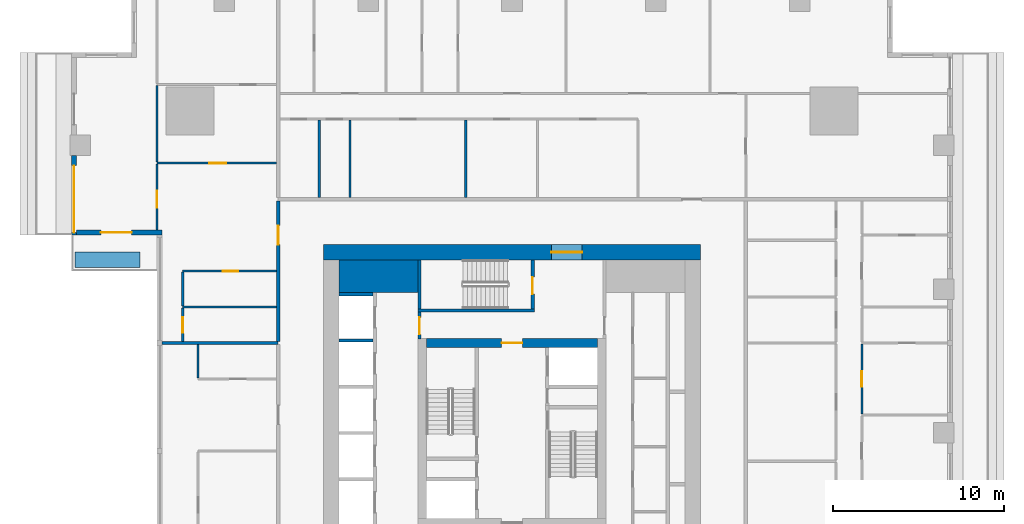
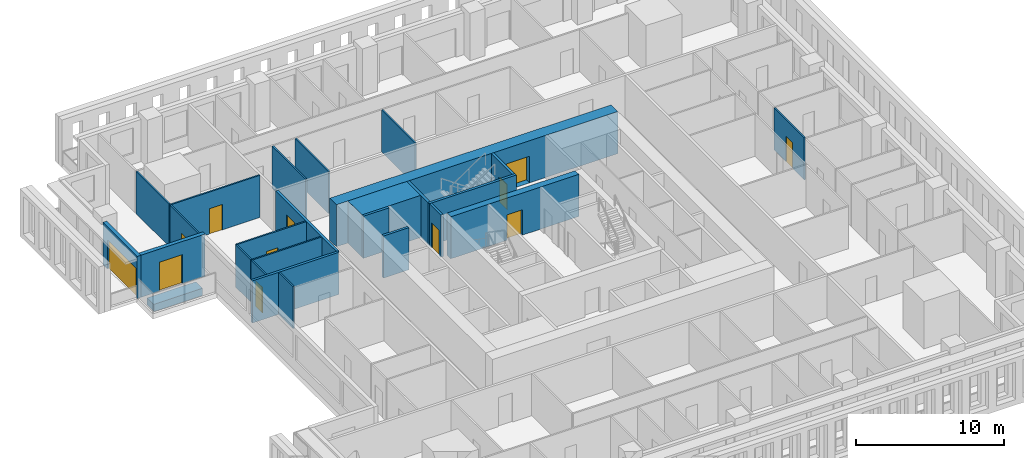
# One storey, part 6 of 14: 26 walls, 12 doors, 12 openings.
"""IFC4 building model written with IfcOpenShell, lengths in metres."""

from ifc_helpers import new_model, si_unit, direction, frame, frame_2d, origin, place, context, subcontext, project, spatial, rectangle, extrude, material, layer, layer_set, type_object, element, fill, save


model = new_model("IFC4")

# Units and contexts
model_context = context("Model", 3, precision=1e-05, world=origin(), true_north=direction((0.0, 1.0)))
body_context = subcontext(model_context, "Body", "Model", "MODEL_VIEW")
ifc_project = project(units=[si_unit("LENGTHUNIT", "METRE"), si_unit("AREAUNIT", "SQUARE_METRE"), si_unit("VOLUMEUNIT", "CUBIC_METRE"), si_unit("PLANEANGLEUNIT", "RADIAN"), si_unit("MASSUNIT", "GRAM", prefix="KILO")], contexts=[model_context])

# Site, building, storey
site_placement = place(None, origin())
site = spatial("IfcSite", under=ifc_project, at=site_placement, CompositionType="ELEMENT")
building_placement = place(site_placement, origin())
building = spatial("IfcBuilding", under=site, at=building_placement, Name="Khepri Terraces", CompositionType="ELEMENT")
storey_placement = place(building_placement, frame((0.0, 0.0, 110.39990234375)))
storey = spatial("IfcBuildingStorey", under=building, at=storey_placement, Name="L26", CompositionType="ELEMENT", Elevation=110.39990234375)

# Walls
ifc_material_1 = material(Name="Concrete C70/85", Category="concrete")
ifc_layer_1 = layer(ifc_material_1, 1.89990234375, Name="Concrete C70/85", Category="concrete")
ifc_layer_set_1 = layer_set([ifc_layer_1], Name="Concrete C70/85")
wall_type_1 = type_object("IfcWallType", Name="Core wall 1900 C70/85", PredefinedType="SHEAR", material=ifc_layer_set_1)
wall_1_placement = place(storey_placement, frame((-10.10009765625, 9.14990234375, 0.0), z_axis=(0.0, 0.0, 1.0), x_axis=(1.0, 0.0, 0.0)))
element("IfcWall", 1, at=wall_1_placement, inside=storey, type_object=wall_type_1, Name="Core wall PR03 L26", PredefinedType="SHEAR", context=body_context, shape_type="SweptSolid", body=[
    extrude(rectangle(XDim=4.60009765625, YDim=1.89990234375, at=frame_2d((2.300048828125, 0.0))), origin(), (0.0, 0.0, 1.0), 3.47998046875),
])
ifc_layer_2 = layer(ifc_material_1, 0.199951171875, Name="Concrete C70/85", Category="concrete")
ifc_layer_set_2 = layer_set([ifc_layer_2], Name="Concrete C70/85")
wall_type_2 = type_object("IfcWallType", Name="Core wall 200 C70/85", PredefinedType="SHEAR", material=ifc_layer_set_2)
wall_2_placement = place(storey_placement, frame((-5.5, 7.14990234375, 0.0), z_axis=(0.0, 0.0, 1.0), x_axis=(1.0, 0.0, 0.0)))
element("IfcWall", 2, at=wall_2_placement, inside=storey, type_object=wall_type_2, Name="Core wall ST05 L26", PredefinedType="SHEAR", context=body_context, shape_type="SweptSolid", body=[
    extrude(rectangle(XDim=6.800048828125, YDim=0.199951171875, at=frame_2d((3.39990234375, 0.0))), origin(), (0.0, 0.0, 1.0), 3.47998046875),
])
wall_3_placement = place(storey_placement, frame((-5.39990234375, 7.25, 0.0), z_axis=(0.0, 0.0, 1.0), x_axis=(0.0, 1.0, 0.0)))
element("IfcWall", 3, at=wall_3_placement, inside=storey, type_object=wall_type_2, Name="Core wall ST06 L26", PredefinedType="SHEAR", context=body_context, shape_type="SweptSolid", body=[
    extrude(rectangle(XDim=2.85009765625, YDim=0.199951171875, at=frame_2d((1.425048828125, 0.0))), origin(), (0.0, 0.0, 1.0), 3.47998046875),
])

# Wall, opening, door
wall_4_placement = place(storey_placement, frame((1.199951171875, 7.25, 0.0), z_axis=(0.0, 0.0, 1.0), x_axis=(0.0, 1.0, 0.0)))
wall_4 = element("IfcWall", 4, at=wall_4_placement, inside=storey, type_object=wall_type_2, Name="Core wall ST07 L26", PredefinedType="SHEAR", context=body_context, shape_type="SweptSolid", body=[
    extrude(rectangle(XDim=2.85009765625, YDim=0.199951171875, at=frame_2d((1.425048828125, 0.0))), origin(), (0.0, 0.0, 1.0), 3.47998046875),
])
opening_1_placement = place(wall_4_placement, frame((0.85009765625, 0.0, 0.0)))
opening_1 = element("IfcOpeningElement", 5, at=opening_1_placement, cuts=wall_4, Name="Opening L26-C15", PredefinedType="OPENING", context=body_context, shape_type="SweptSolid", body=[
    extrude(rectangle(XDim=1.0, YDim=2.10009765625, at=frame_2d((0.5, 1.050048828125))), frame((0.0, 0.10986328125, 0.0), z_axis=(0.0, -1.0, 0.0), x_axis=(1.0, 0.0, 0.0)), (0.0, 0.0, 1.0), 0.219970703125),
])
ifc_material_2 = material(Name="Painted steel", Category="steel")
door_type_1 = type_object("IfcDoorType", Name="DR-CORE-STAIR-1000", OperationType="NOTDEFINED", PredefinedType="DOOR", material=ifc_material_2)
door_1_placement = place(opening_1_placement, origin())
door_1 = element("IfcDoor", 6, at=door_1_placement, inside=storey, type_object=door_type_1, Name="Stair door L26-C15", OperationType="SINGLE_SWING_LEFT", OverallHeight=2.10009765625, OverallWidth=1.0, PredefinedType="DOOR", context=body_context, shape_type="SweptSolid", body=[
    extrude(rectangle(XDim=1.0, YDim=2.10009765625, at=frame_2d((0.5, 1.050048828125))), frame((0.0, 0.02490234375, 0.0), z_axis=(0.0, -1.0, 0.0), x_axis=(1.0, 0.0, 0.0)), (0.0, 0.0, 1.0), 0.050048828125),
])
fill(opening_1, door_1)

# Walls
for number, where, z_axis, x_axis, name in (
    (7, (-10.10009765625, 5.39990234375, 0.0), (0.0, 0.0, 1.0), (1.0, 0.0, 0.0), "Core wall SH19 L26"),
    (8, (-10.10009765625, 8.10009765625, 0.0), (0.0, 0.0, 1.0), (1.0, 0.0, 0.0), "Core wall SH20 L26"),
):
    element("IfcWall", number, at=place(storey_placement, frame(where, z_axis=z_axis, x_axis=x_axis)), inside=storey, type_object=wall_type_2, Name=name, PredefinedType="SHEAR", context=body_context, shape_type="SweptSolid", body=[
        extrude(rectangle(XDim=2.0, YDim=0.199951171875, at=frame_2d((1.0, 0.0))), origin(), (0.0, 0.0, 1.0), 3.47998046875),
    ])

# Wall, opening, door
ifc_layer_3 = layer(ifc_material_1, 0.5, Name="Concrete C70/85", Category="concrete")
ifc_layer_set_3 = layer_set([ifc_layer_3], Name="Concrete C70/85")
wall_type_3 = type_object("IfcWallType", Name="Core wall 500 C70/85", PredefinedType="SHEAR", material=ifc_layer_set_3)
wall_5_placement = place(storey_placement, frame((-5.0, 5.25, 0.0), z_axis=(0.0, 0.0, 1.0), x_axis=(1.0, 0.0, 0.0)))
wall_5 = element("IfcWall", 9, at=wall_5_placement, inside=storey, type_object=wall_type_3, Name="Core wall BX04 L26", PredefinedType="SHEAR", context=body_context, shape_type="SweptSolid", body=[
    extrude(rectangle(XDim=10.0, YDim=0.5, at=frame_2d((5.0, 0.0))), origin(), (0.0, 0.0, 1.0), 3.47998046875),
])
opening_2_placement = place(wall_5_placement, frame((4.39990234375, 0.0, 0.0)))
opening_2 = element("IfcOpeningElement", 10, at=opening_2_placement, cuts=wall_5, Name="Opening L26-C13", PredefinedType="OPENING", context=body_context, shape_type="SweptSolid", body=[
    extrude(rectangle(XDim=1.199951171875, YDim=2.10009765625, at=frame_2d((0.60009765625, 1.050048828125))), frame((0.0, 0.260009765625, 0.0), z_axis=(0.0, -1.0, 0.0), x_axis=(1.0, 0.0, 0.0)), (0.0, 0.0, 1.0), 0.52001953125),
])
door_type_2 = type_object("IfcDoorType", Name="DR-CORE-FF-LOBBY-1200", OperationType="NOTDEFINED", PredefinedType="DOOR", material=ifc_material_2)
door_2_placement = place(opening_2_placement, frame((1.199951171875, 0.0, 0.0), z_axis=(0.0, 0.0, 1.0), x_axis=(-1.0, 0.0, 0.0)))
door_2 = element("IfcDoor", 11, at=door_2_placement, inside=storey, type_object=door_type_2, Name="Firefighting lobby door L26-C13", OperationType="SINGLE_SWING_LEFT", OverallHeight=2.10009765625, OverallWidth=1.199951171875, PredefinedType="DOOR", context=body_context, shape_type="SweptSolid", body=[
    extrude(rectangle(XDim=1.199951171875, YDim=2.10009765625, at=frame_2d((0.60009765625, 1.050048828125))), frame((0.0, 0.02490234375, 0.0), z_axis=(0.0, -1.0, 0.0), x_axis=(1.0, 0.0, 0.0)), (0.0, 0.0, 1.0), 0.050048828125),
])
fill(opening_2, door_2)

ifc_layer_4 = layer(ifc_material_1, 0.89990234375, Name="Concrete C70/85", Category="concrete")
ifc_layer_set_4 = layer_set([ifc_layer_4], Name="Concrete C70/85")
wall_type_4 = type_object("IfcWallType", Name="Core wall 900 C70/85", PredefinedType="SHEAR", material=ifc_layer_set_4)
wall_6_placement = place(storey_placement, frame((-11.0, 10.550048828125, 0.0), z_axis=(0.0, 0.0, 1.0), x_axis=(1.0, 0.0, 0.0)))
wall_6 = element("IfcWall", 12, at=wall_6_placement, inside=storey, type_object=wall_type_4, Name="Core wall OW-N L26", PredefinedType="SHEAR", context=body_context, shape_type="SweptSolid", body=[
    extrude(rectangle(XDim=22.0, YDim=0.89990234375, at=frame_2d((11.0, 0.0))), origin(), (0.0, 0.0, 1.0), 3.47998046875),
])
opening_3_placement = place(wall_6_placement, frame((13.300048828125, 0.0, 0.0)))
opening_3 = element("IfcOpeningElement", 13, at=opening_3_placement, cuts=wall_6, Name="Opening L26-C20", PredefinedType="OPENING", context=body_context, shape_type="SweptSolid", body=[
    extrude(rectangle(XDim=1.800048828125, YDim=2.199951171875, at=frame_2d((0.89990234375, 1.10009765625))), frame((0.0, 0.4599609375, 0.0), z_axis=(0.0, -1.0, 0.0), x_axis=(1.0, 0.0, 0.0)), (0.0, 0.0, 1.0), 0.919921875),
])
door_type_3 = type_object("IfcDoorType", Name="DR-CORE-ENTRANCE-1800", OperationType="NOTDEFINED", PredefinedType="DOOR", material=ifc_material_2)
door_3_placement = place(opening_3_placement, origin())
door_3 = element("IfcDoor", 14, at=door_3_placement, inside=storey, type_object=door_type_3, Name="Core entrance door pair L26-C20", OperationType="DOUBLE_DOOR_SINGLE_SWING", OverallHeight=2.199951171875, OverallWidth=1.800048828125, PredefinedType="DOOR", context=body_context, shape_type="SweptSolid", body=[
    extrude(rectangle(XDim=1.800048828125, YDim=2.199951171875, at=frame_2d((0.89990234375, 1.10009765625))), frame((0.0, 0.02490234375, 0.0), z_axis=(0.0, -1.0, 0.0), x_axis=(1.0, 0.0, 0.0)), (0.0, 0.0, 1.0), 0.050048828125),
])
fill(opening_3, door_3)

ifc_material_3 = material(Name="Fire-rated gypsum board partition")
ifc_layer_5 = layer(ifc_material_3, 0.199951171875, Name="Fire-rated gypsum board partition")
ifc_layer_set_5 = layer_set([ifc_layer_5], Name="Fire-rated gypsum board partition")
wall_type_5 = type_object("IfcWallType", Name="WL-CORE-PART-200", PredefinedType="PARTITIONING", material=ifc_layer_set_5)
wall_7_placement = place(storey_placement, frame((-5.39990234375, 5.5, 0.0), z_axis=(0.0, 0.0, 1.0), x_axis=(0.0, 1.0, 0.0)))
wall_7 = element("IfcWall", 15, at=wall_7_placement, inside=storey, type_object=wall_type_5, Name="Core partition PT07 L26", PredefinedType="PARTITIONING", context=body_context, shape_type="SweptSolid", body=[
    extrude(rectangle(XDim=1.550048828125, YDim=0.199951171875, at=frame_2d((0.77490234375, 0.0))), origin(), (0.0, 0.0, 1.0), 3.47998046875),
])
opening_4_placement = place(wall_7_placement, frame((0.25, 0.0, 0.0)))
opening_4 = element("IfcOpeningElement", 16, at=opening_4_placement, cuts=wall_7, Name="Opening L26-C16", PredefinedType="OPENING", context=body_context, shape_type="SweptSolid", body=[
    extrude(rectangle(XDim=1.0, YDim=2.10009765625, at=frame_2d((0.5, 1.050048828125))), frame((0.0, 0.10986328125, 0.0), z_axis=(0.0, -1.0, 0.0), x_axis=(1.0, 0.0, 0.0)), (0.0, 0.0, 1.0), 0.219970703125),
])
door_type_4 = type_object("IfcDoorType", Name="DR-CORE-LOBBY-1000", OperationType="NOTDEFINED", PredefinedType="DOOR", material=ifc_material_2)
door_4_placement = place(opening_4_placement, frame((1.0, 0.0, 0.0), z_axis=(0.0, 0.0, 1.0), x_axis=(-1.0, 0.0, 0.0)))
door_4 = element("IfcDoor", 17, at=door_4_placement, inside=storey, type_object=door_type_4, Name="Lobby door L26-C16", OperationType="SINGLE_SWING_RIGHT", OverallHeight=2.10009765625, OverallWidth=1.0, PredefinedType="DOOR", context=body_context, shape_type="SweptSolid", body=[
    extrude(rectangle(XDim=1.0, YDim=2.10009765625, at=frame_2d((0.5, 1.050048828125))), frame((0.0, 0.02490234375, 0.0), z_axis=(0.0, -1.0, 0.0), x_axis=(1.0, 0.0, 0.0)), (0.0, 0.0, 1.0), 0.050048828125),
])
fill(opening_4, door_4)

# Wall
ifc_material_4 = material(Name="Fire-rated gypsum plasterboard partition, mineral wool")
ifc_layer_6 = layer(ifc_material_4, 0.199951171875, Name="Fire-rated gypsum plasterboard partition, mineral wool")
ifc_layer_set_6 = layer_set([ifc_layer_6], Name="Fire-rated gypsum plasterboard partition, mineral wool")
wall_type_6 = type_object("IfcWallType", Name="WL-CORR-200", PredefinedType="PARTITIONING", material=ifc_layer_set_6)
wall_8_placement = place(storey_placement, frame((-20.419921875, 5.25, 0.0), z_axis=(0.0, 0.0, 1.0), x_axis=(1.0, 0.0, 0.0)))
element("IfcWall", 18, at=wall_8_placement, inside=storey, type_object=wall_type_6, Name="Partition P-046 L26", PredefinedType="PARTITIONING", context=body_context, shape_type="SweptSolid", body=[
    extrude(rectangle(XDim=6.77001953125, YDim=0.199951171875, at=frame_2d((3.385009765625, 0.0))), origin(), (0.0, 0.0, 1.0), 3.47998046875),
])

# Wall, opening, door
wall_9_placement = place(storey_placement, frame((-13.64990234375, 5.35009765625, 0.0), z_axis=(0.0, 0.0, 1.0), x_axis=(0.0, 1.0, 0.0)))
wall_9 = element("IfcWall", 19, at=wall_9_placement, inside=storey, type_object=wall_type_6, Name="Partition P-052 L26", PredefinedType="PARTITIONING", context=body_context, shape_type="SweptSolid", body=[
    extrude(rectangle(XDim=8.199951171875, YDim=0.199951171875, at=frame_2d((4.10009765625, 0.0))), origin(), (0.0, 0.0, 1.0), 3.47998046875),
])
opening_5_placement = place(wall_9_placement, frame((5.64990234375, 0.0, 0.0)))
opening_5 = element("IfcOpeningElement", 20, at=opening_5_placement, cuts=wall_9, Name="Opening D1", PredefinedType="OPENING", context=body_context, shape_type="SweptSolid", body=[
    extrude(rectangle(XDim=1.10009765625, YDim=2.39990234375, at=frame_2d((0.550048828125, 1.199951171875))), frame((0.0, 0.10986328125, 0.0), z_axis=(0.0, -1.0, 0.0), x_axis=(1.0, 0.0, 0.0)), (0.0, 0.0, 1.0), 0.219970703125),
])
ifc_material_5 = material(Name="Solid-core timber door leaf, flat entrance door", Category="wood")
door_type_5 = type_object("IfcDoorType", Name="DR-ENT-1100", OperationType="NOTDEFINED", PredefinedType="DOOR", material=ifc_material_5)
door_5_placement = place(opening_5_placement, origin())
door_5 = element("IfcDoor", 21, at=door_5_placement, inside=storey, type_object=door_type_5, Name="Flat D1 entrance door", OperationType="SINGLE_SWING_RIGHT", OverallHeight=2.39990234375, OverallWidth=1.10009765625, PredefinedType="DOOR", context=body_context, shape_type="SweptSolid", body=[
    extrude(rectangle(XDim=1.10009765625, YDim=2.39990234375, at=frame_2d((0.550048828125, 1.199951171875))), frame((0.0, 0.02490234375, 0.0), z_axis=(0.0, -1.0, 0.0), x_axis=(1.0, 0.0, 0.0)), (0.0, 0.0, 1.0), 0.050048828125),
])
fill(opening_5, door_5)

ifc_material_6 = material(Name="Precast concrete C50/60 warm stone", Category="masonry")
ifc_layer_7 = layer(ifc_material_6, 0.300048828125, Name="Precast concrete C50/60 warm stone", Category="masonry")
ifc_layer_set_7 = layer_set([ifc_layer_7], Name="Precast concrete C50/60 warm stone")
wall_type_7 = type_object("IfcWallType", Name="WL-EXT-PRECAST-300", PredefinedType="STANDARD", material=ifc_layer_set_7)
wall_10_placement = place(storey_placement, frame((-25.570068359375, 16.199951171875, 0.0), z_axis=(0.0, 0.0, 1.0), x_axis=(0.0, -1.0, 0.0)))
wall_10 = element("IfcWall", 22, at=wall_10_placement, inside=storey, type_object=wall_type_7, Name="External wall L26 W", PredefinedType="STANDARD", context=body_context, shape_type="SweptSolid", body=[
    extrude(rectangle(XDim=4.64990234375, YDim=0.300048828125, at=frame_2d((2.324951171875, 0.0))), origin(), (0.0, 0.0, 1.0), 3.47998046875),
])
opening_6_placement = place(wall_10_placement, frame((0.60009765625, 0.0, 0.0)))
opening_6 = element("IfcOpeningElement", 23, at=opening_6_placement, cuts=wall_10, Name="Opening ED-L26-12", PredefinedType="OPENING", context=body_context, shape_type="SweptSolid", body=[
    extrude(rectangle(XDim=3.89990234375, YDim=2.39990234375, at=frame_2d((1.949951171875, 1.199951171875))), frame((0.0, 0.16015625, 0.0), z_axis=(0.0, -1.0, 0.0), x_axis=(1.0, 0.0, 0.0)), (0.0, 0.0, 1.0), 0.320068359375),
])
ifc_material_7 = material(Name="Anodised aluminium bronze glazed door", Category="aluminium")
door_type_6 = type_object("IfcDoorType", Name="DR-BAL-SLIDE-3900x2400", OperationType="NOTDEFINED", PredefinedType="DOOR", material=ifc_material_7)
door_6_placement = place(opening_6_placement, origin())
door_6 = element("IfcDoor", 24, at=door_6_placement, inside=storey, type_object=door_type_6, Name="Balcony door L26 W", OperationType="SLIDING_TO_LEFT", OverallHeight=2.39990234375, OverallWidth=3.89990234375, PredefinedType="DOOR", context=body_context, shape_type="SweptSolid", body=[
    extrude(rectangle(XDim=3.89990234375, YDim=2.39990234375, at=frame_2d((1.949951171875, 1.199951171875))), frame((0.0, 0.02490234375, 0.0), z_axis=(0.0, -1.0, 0.0), x_axis=(1.0, 0.0, 0.0)), (0.0, 0.0, 1.0), 0.050048828125),
])
fill(opening_6, door_6)

wall_11_placement = place(storey_placement, frame((-25.419921875, 11.699951171875, 0.0), z_axis=(0.0, 0.0, 1.0), x_axis=(1.0, 0.0, 0.0)))
wall_11 = element("IfcWall", 25, at=wall_11_placement, inside=storey, type_object=wall_type_7, Name="External wall L26 S", PredefinedType="STANDARD", context=body_context, shape_type="SweptSolid", body=[
    extrude(rectangle(XDim=5.0, YDim=0.300048828125, at=frame_2d((2.5, 0.0))), origin(), (0.0, 0.0, 1.0), 3.47998046875),
])
opening_7_placement = place(wall_11_placement, frame((1.419921875, 0.0, 0.0)))
opening_7 = element("IfcOpeningElement", 26, at=opening_7_placement, cuts=wall_11, Name="Opening ED-L26-13", PredefinedType="OPENING", context=body_context, shape_type="SweptSolid", body=[
    extrude(rectangle(XDim=1.800048828125, YDim=2.39990234375, at=frame_2d((0.89990234375, 1.199951171875))), frame((0.0, 0.16015625, 0.0), z_axis=(0.0, -1.0, 0.0), x_axis=(1.0, 0.0, 0.0)), (0.0, 0.0, 1.0), 0.320068359375),
])
door_type_7 = type_object("IfcDoorType", Name="DR-BAL-SLIDE-1800x2400", OperationType="NOTDEFINED", PredefinedType="DOOR", material=ifc_material_7)
door_7_placement = place(opening_7_placement, origin())
door_7 = element("IfcDoor", 27, at=door_7_placement, inside=storey, type_object=door_type_7, Name="Balcony door L26 S", OperationType="SLIDING_TO_LEFT", OverallHeight=2.39990234375, OverallWidth=1.800048828125, PredefinedType="DOOR", context=body_context, shape_type="SweptSolid", body=[
    extrude(rectangle(XDim=1.800048828125, YDim=2.39990234375, at=frame_2d((0.89990234375, 1.199951171875))), frame((0.0, 0.02490234375, 0.0), z_axis=(0.0, -1.0, 0.0), x_axis=(1.0, 0.0, 0.0)), (0.0, 0.0, 1.0), 0.050048828125),
])
fill(opening_7, door_7)

ifc_material_8 = material(Name="Gypsum plasterboard partition")
ifc_layer_8 = layer(ifc_material_8, 0.1201171875, Name="Gypsum plasterboard partition")
ifc_layer_set_8 = layer_set([ifc_layer_8], Name="Gypsum plasterboard partition")
wall_type_8 = type_object("IfcWallType", Name="WL-PART-120", PredefinedType="PARTITIONING", material=ifc_layer_set_8)
wall_12_placement = place(storey_placement, frame((20.419921875, 1.110107421875, 0.0), z_axis=(0.0, 0.0, 1.0), x_axis=(0.0, 1.0, 0.0)))
wall_12 = element("IfcWall", 28, at=wall_12_placement, inside=storey, type_object=wall_type_8, Name="Partition P-043 L26", PredefinedType="PARTITIONING", context=body_context, shape_type="SweptSolid", body=[
    extrude(rectangle(XDim=4.079833984375, YDim=0.1201171875, at=frame_2d((2.0400390625, 0.0))), origin(), (0.0, 0.0, 1.0), 3.47998046875),
])
opening_8_placement = place(wall_12_placement, frame((1.590087890625, 0.0, 0.0)))
opening_8 = element("IfcOpeningElement", 29, at=opening_8_placement, cuts=wall_12, Name="Opening D3", PredefinedType="OPENING", context=body_context, shape_type="SweptSolid", body=[
    extrude(rectangle(XDim=0.89990234375, YDim=2.10009765625, at=frame_2d((0.449951171875, 1.050048828125))), frame((0.0, 0.070068359375, 0.0), z_axis=(0.0, -1.0, 0.0), x_axis=(1.0, 0.0, 0.0)), (0.0, 0.0, 1.0), 0.14013671875),
])
ifc_material_9 = material(Name="Timber door leaf", Category="wood")
door_type_8 = type_object("IfcDoorType", Name="DR-INT-900", OperationType="NOTDEFINED", PredefinedType="DOOR", material=ifc_material_9)
door_8_placement = place(opening_8_placement, frame((0.89990234375, 0.0, 0.0), z_axis=(0.0, 0.0, 1.0), x_axis=(-1.0, 0.0, 0.0)))
door_8 = element("IfcDoor", 30, at=door_8_placement, inside=storey, type_object=door_type_8, Name="Door Bedroom", OperationType="SINGLE_SWING_LEFT", OverallHeight=2.10009765625, OverallWidth=0.89990234375, PredefinedType="DOOR", context=body_context, shape_type="SweptSolid", body=[
    extrude(rectangle(XDim=0.89990234375, YDim=2.10009765625, at=frame_2d((0.449951171875, 1.050048828125))), frame((0.0, 0.02490234375, 0.0), z_axis=(0.0, -1.0, 0.0), x_axis=(1.0, 0.0, 0.0)), (0.0, 0.0, 1.0), 0.050048828125),
])
fill(opening_8, door_8)

# Wall
wall_13_placement = place(storey_placement, frame((-18.320068359375, 3.2099609375, 0.0), z_axis=(0.0, 0.0, 1.0), x_axis=(0.0, 1.0, 0.0)))
element("IfcWall", 31, at=wall_13_placement, inside=storey, type_object=wall_type_8, Name="Partition P-045 L26", PredefinedType="PARTITIONING", context=body_context, shape_type="SweptSolid", body=[
    extrude(rectangle(XDim=1.93994140625, YDim=0.1201171875, at=frame_2d((0.969970703125, 0.0))), origin(), (0.0, 0.0, 1.0), 3.47998046875),
])

# Wall, opening, door
wall_14_placement = place(storey_placement, frame((-19.219970703125, 5.35009765625, 0.0), z_axis=(0.0, 0.0, 1.0), x_axis=(0.0, 1.0, 0.0)))
wall_14 = element("IfcWall", 32, at=wall_14_placement, inside=storey, type_object=wall_type_8, Name="Partition P-051 L26", PredefinedType="PARTITIONING", context=body_context, shape_type="SweptSolid", body=[
    extrude(rectangle(XDim=1.93994140625, YDim=0.1201171875, at=frame_2d((0.969970703125, 0.0))), origin(), (0.0, 0.0, 1.0), 3.47998046875),
])
opening_9_placement = place(wall_14_placement, frame((0.5, 0.0, 0.0)))
opening_9 = element("IfcOpeningElement", 33, at=opening_9_placement, cuts=wall_14, Name="Opening D3", PredefinedType="OPENING", context=body_context, shape_type="SweptSolid", body=[
    extrude(rectangle(XDim=0.89990234375, YDim=2.10009765625, at=frame_2d((0.449951171875, 1.050048828125))), frame((0.0, 0.070068359375, 0.0), z_axis=(0.0, -1.0, 0.0), x_axis=(1.0, 0.0, 0.0)), (0.0, 0.0, 1.0), 0.14013671875),
])
door_9_placement = place(opening_9_placement, frame((0.89990234375, 0.0, 0.0), z_axis=(0.0, 0.0, 1.0), x_axis=(-1.0, 0.0, 0.0)))
door_9 = element("IfcDoor", 34, at=door_9_placement, inside=storey, type_object=door_type_8, Name="Door Kitchen", OperationType="SINGLE_SWING_RIGHT", OverallHeight=2.10009765625, OverallWidth=0.89990234375, PredefinedType="DOOR", context=body_context, shape_type="SweptSolid", body=[
    extrude(rectangle(XDim=0.89990234375, YDim=2.10009765625, at=frame_2d((0.449951171875, 1.050048828125))), frame((0.0, 0.02490234375, 0.0), z_axis=(0.0, -1.0, 0.0), x_axis=(1.0, 0.0, 0.0)), (0.0, 0.0, 1.0), 0.050048828125),
])
fill(opening_9, door_9)

# Walls
wall_15_placement = place(storey_placement, frame((-19.219970703125, 7.35009765625, 0.0), z_axis=(0.0, 0.0, 1.0), x_axis=(1.0, 0.0, 0.0)))
element("IfcWall", 35, at=wall_15_placement, inside=storey, type_object=wall_type_8, Name="Partition P-053 L26", PredefinedType="PARTITIONING", context=body_context, shape_type="SweptSolid", body=[
    extrude(rectangle(XDim=5.469970703125, YDim=0.1201171875, at=frame_2d((2.73486328125, 0.0))), origin(), (0.0, 0.0, 1.0), 3.47998046875),
])
wall_16_placement = place(storey_placement, frame((-19.219970703125, 7.409912109375, 0.0), z_axis=(0.0, 0.0, 1.0), x_axis=(0.0, 1.0, 0.0)))
element("IfcWall", 36, at=wall_16_placement, inside=storey, type_object=wall_type_8, Name="Partition P-055 L26", PredefinedType="PARTITIONING", context=body_context, shape_type="SweptSolid", body=[
    extrude(rectangle(XDim=1.97998046875, YDim=0.1201171875, at=frame_2d((0.989990234375, 0.0))), origin(), (0.0, 0.0, 1.0), 3.47998046875),
])

# Wall, opening, door
wall_17_placement = place(storey_placement, frame((-19.219970703125, 9.449951171875, 0.0), z_axis=(0.0, 0.0, 1.0), x_axis=(1.0, 0.0, 0.0)))
wall_17 = element("IfcWall", 37, at=wall_17_placement, inside=storey, type_object=wall_type_8, Name="Partition P-059 L26", PredefinedType="PARTITIONING", context=body_context, shape_type="SweptSolid", body=[
    extrude(rectangle(XDim=5.469970703125, YDim=0.1201171875, at=frame_2d((2.73486328125, 0.0))), origin(), (0.0, 0.0, 1.0), 3.47998046875),
])
opening_10_placement = place(wall_17_placement, frame((2.3349609375, 0.0, 0.0)))
opening_10 = element("IfcOpeningElement", 38, at=opening_10_placement, cuts=wall_17, Name="Opening D4", PredefinedType="OPENING", context=body_context, shape_type="SweptSolid", body=[
    extrude(rectangle(XDim=0.89990234375, YDim=2.10009765625, at=frame_2d((0.449951171875, 1.050048828125))), frame((0.0, 0.070068359375, 0.0), z_axis=(0.0, -1.0, 0.0), x_axis=(1.0, 0.0, 0.0)), (0.0, 0.0, 1.0), 0.14013671875),
])
ifc_material_10 = material(Name="Timber door leaf, moisture resistant", Category="wood")
door_type_9 = type_object("IfcDoorType", Name="DR-WET-900", OperationType="NOTDEFINED", PredefinedType="DOOR", material=ifc_material_10)
door_10_placement = place(opening_10_placement, frame((0.89990234375, 0.0, 0.0), z_axis=(0.0, 0.0, 1.0), x_axis=(-1.0, 0.0, 0.0)))
door_10 = element("IfcDoor", 39, at=door_10_placement, inside=storey, type_object=door_type_9, Name="Door Guest Bathroom", OperationType="SINGLE_SWING_LEFT", OverallHeight=2.10009765625, OverallWidth=0.89990234375, PredefinedType="DOOR", context=body_context, shape_type="SweptSolid", body=[
    extrude(rectangle(XDim=0.89990234375, YDim=2.10009765625, at=frame_2d((0.449951171875, 1.050048828125))), frame((0.0, 0.02490234375, 0.0), z_axis=(0.0, -1.0, 0.0), x_axis=(1.0, 0.0, 0.0)), (0.0, 0.0, 1.0), 0.050048828125),
])
fill(opening_10, door_10)

wall_18_placement = place(storey_placement, frame((-20.719970703125, 11.85009765625, 0.0), z_axis=(0.0, 0.0, 1.0), x_axis=(0.0, 1.0, 0.0)))
wall_18 = element("IfcWall", 40, at=wall_18_placement, inside=storey, type_object=wall_type_8, Name="Partition P-062 L26", PredefinedType="PARTITIONING", context=body_context, shape_type="SweptSolid", body=[
    extrude(rectangle(XDim=3.83984375, YDim=0.1201171875, at=frame_2d((1.919921875, 0.0))), origin(), (0.0, 0.0, 1.0), 3.47998046875),
])
opening_11_placement = place(wall_18_placement, frame((1.300048828125, 0.0, 0.0)))
opening_11 = element("IfcOpeningElement", 41, at=opening_11_placement, cuts=wall_18, Name="Opening D2", PredefinedType="OPENING", context=body_context, shape_type="SweptSolid", body=[
    extrude(rectangle(XDim=1.0, YDim=2.10009765625, at=frame_2d((0.5, 1.050048828125))), frame((0.0, 0.070068359375, 0.0), z_axis=(0.0, -1.0, 0.0), x_axis=(1.0, 0.0, 0.0)), (0.0, 0.0, 1.0), 0.14013671875),
])
ifc_material_11 = material(Name="Timber door leaf, living room door", Category="wood")
door_type_10 = type_object("IfcDoorType", Name="DR-INT-1000", OperationType="NOTDEFINED", PredefinedType="DOOR", material=ifc_material_11)
door_11_placement = place(opening_11_placement, origin())
door_11 = element("IfcDoor", 42, at=door_11_placement, inside=storey, type_object=door_type_10, Name="Door Living Room", OperationType="SINGLE_SWING_LEFT", OverallHeight=2.10009765625, OverallWidth=1.0, PredefinedType="DOOR", context=body_context, shape_type="SweptSolid", body=[
    extrude(rectangle(XDim=1.0, YDim=2.10009765625, at=frame_2d((0.5, 1.050048828125))), frame((0.0, 0.02490234375, 0.0), z_axis=(0.0, -1.0, 0.0), x_axis=(1.0, 0.0, 0.0)), (0.0, 0.0, 1.0), 0.050048828125),
])
fill(opening_11, door_11)

# Walls
for number, where, z_axis, x_axis, name in (
    (43, (-11.25, 13.75, 0.0), (0.0, 0.0, 1.0), (0.0, 1.0, 0.0), "Partition P-067 L26"),
    (44, (-9.449951171875, 13.75, 0.0), (0.0, 0.0, 1.0), (0.0, 1.0, 0.0), "Partition P-068 L26"),
    (45, (-2.699951171875, 13.75, 0.0), (0.0, 0.0, 1.0), (0.0, 1.0, 0.0), "Partition P-069 L26"),
):
    element("IfcWall", number, at=place(storey_placement, frame(where, z_axis=z_axis, x_axis=x_axis)), inside=storey, type_object=wall_type_8, Name=name, PredefinedType="PARTITIONING", context=body_context, shape_type="SweptSolid", body=[
        extrude(rectangle(XDim=4.510009765625, YDim=0.1201171875, at=frame_2d((2.2548828125, 0.0))), origin(), (0.0, 0.0, 1.0), 3.47998046875),
    ])

# Wall, opening, door
wall_19_placement = place(storey_placement, frame((-20.719970703125, 15.75, 0.0), z_axis=(0.0, 0.0, 1.0), x_axis=(1.0, 0.0, 0.0)))
wall_19 = element("IfcWall", 46, at=wall_19_placement, inside=storey, type_object=wall_type_8, Name="Partition P-073 L26", PredefinedType="PARTITIONING", context=body_context, shape_type="SweptSolid", body=[
    extrude(rectangle(XDim=6.969970703125, YDim=0.1201171875, at=frame_2d((3.48486328125, 0.0))), origin(), (0.0, 0.0, 1.0), 3.47998046875),
])
opening_12_placement = place(wall_19_placement, frame((3.034912109375, 0.0, 0.0)))
opening_12 = element("IfcOpeningElement", 47, at=opening_12_placement, cuts=wall_19, Name="Opening D2", PredefinedType="OPENING", context=body_context, shape_type="SweptSolid", body=[
    extrude(rectangle(XDim=1.0, YDim=2.10009765625, at=frame_2d((0.5, 1.050048828125))), frame((0.0, 0.070068359375, 0.0), z_axis=(0.0, -1.0, 0.0), x_axis=(1.0, 0.0, 0.0)), (0.0, 0.0, 1.0), 0.14013671875),
])
door_12_placement = place(opening_12_placement, origin())
door_12 = element("IfcDoor", 48, at=door_12_placement, inside=storey, type_object=door_type_10, Name="Door Family Room", OperationType="SINGLE_SWING_RIGHT", OverallHeight=2.10009765625, OverallWidth=1.0, PredefinedType="DOOR", context=body_context, shape_type="SweptSolid", body=[
    extrude(rectangle(XDim=1.0, YDim=2.10009765625, at=frame_2d((0.5, 1.050048828125))), frame((0.0, 0.02490234375, 0.0), z_axis=(0.0, -1.0, 0.0), x_axis=(1.0, 0.0, 0.0)), (0.0, 0.0, 1.0), 0.050048828125),
])
fill(opening_12, door_12)

# Walls
wall_20_placement = place(storey_placement, frame((-20.719970703125, 15.81005859375, 0.0), z_axis=(0.0, 0.0, 1.0), x_axis=(0.0, 1.0, 0.0)))
element("IfcWall", 49, at=wall_20_placement, inside=storey, type_object=wall_type_8, Name="Partition P-074 L26", PredefinedType="PARTITIONING", context=body_context, shape_type="SweptSolid", body=[
    extrude(rectangle(XDim=4.4638671875, YDim=0.1201171875, at=frame_2d((2.23193359375, 0.0))), origin(), (0.0, 0.0, 1.0), 3.47998046875),
])
ifc_layer_9 = layer(ifc_material_6, 0.89990234375, Name="Precast concrete C50/60 warm stone", Category="masonry")
ifc_layer_set_9 = layer_set([ifc_layer_9], Name="Precast concrete C50/60 warm stone")
wall_type_9 = type_object("IfcWallType", Name="WL-PLANTER-900", PredefinedType="MOVABLE", material=ifc_layer_set_9)
wall_21_placement = place(storey_placement, frame((-25.52001953125, 10.10009765625, 0.0), z_axis=(0.0, 0.0, 1.0), x_axis=(1.0, 0.0, 0.0)))
element("IfcWall", 50, at=wall_21_placement, inside=storey, type_object=wall_type_9, Name="Planter L26", PredefinedType="MOVABLE", context=body_context, shape_type="SweptSolid", body=[
    extrude(rectangle(XDim=3.800048828125, YDim=0.89990234375, at=frame_2d((1.89990234375, 0.0))), origin(), (0.0, 0.0, 1.0), 0.60009765625),
])

save(model, "model.ifc")
